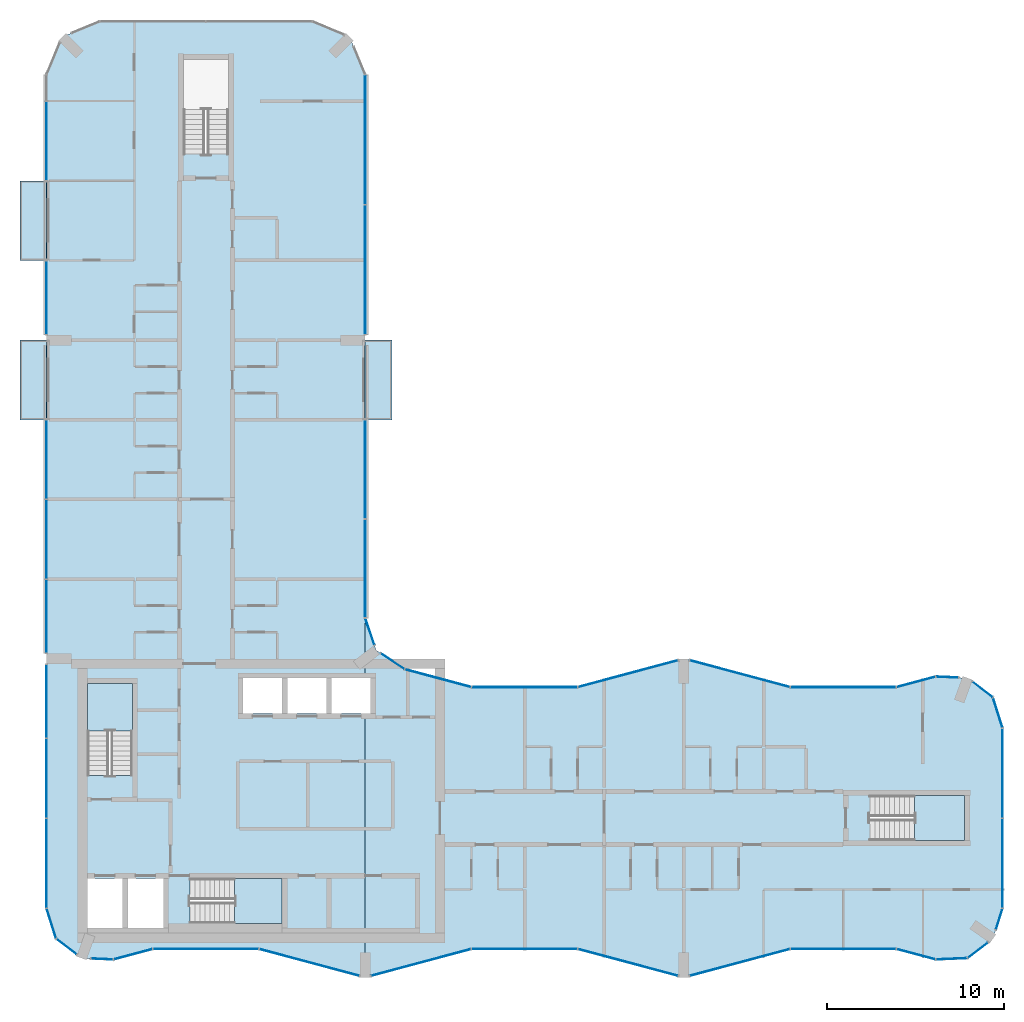
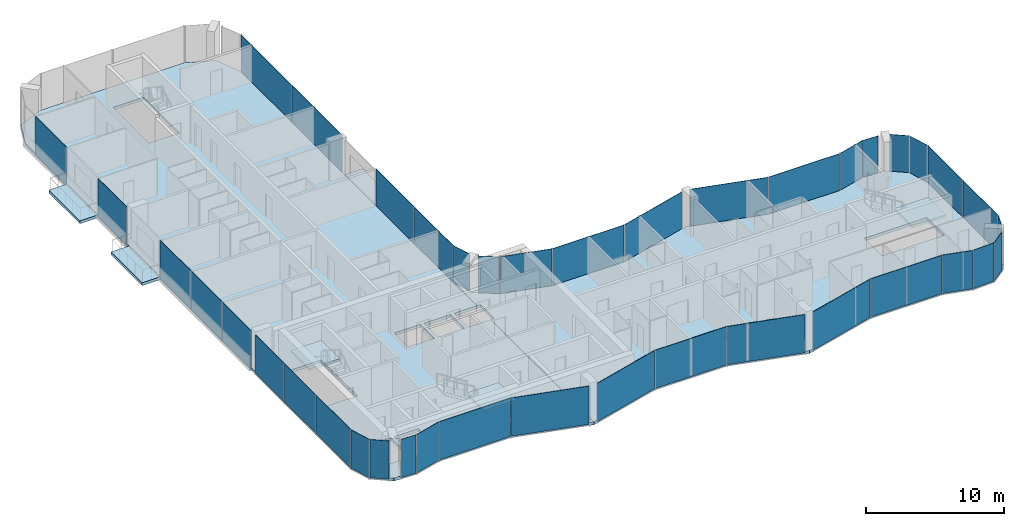
# One storey, part 8 of 15: 40 plates, 8 slabs, 36 elements without a shape of their own.
"""IFC4 building model written with IfcOpenShell, lengths in metres."""

from ifc_helpers import new_model, si_unit, direction, frame, origin, origin_2d, place, context, subcontext, project, spatial, polyline, rectangle, outline, extrude, material, layer, layer_set, type_object, element, aggregate, save


model = new_model("IFC4")

# Units and contexts
model_context = context("Model", 3, precision=1e-05, world=origin(), true_north=direction((0.0, 1.0)))
body_context = subcontext(model_context, "Body", "Model", "MODEL_VIEW")
ifc_project = project(units=[si_unit("LENGTHUNIT", "METRE"), si_unit("AREAUNIT", "SQUARE_METRE"), si_unit("VOLUMEUNIT", "CUBIC_METRE"), si_unit("PLANEANGLEUNIT", "RADIAN"), si_unit("MASSUNIT", "GRAM", prefix="KILO")], contexts=[model_context])

# Site, building, storey
site_placement = place(None, origin())
site = spatial("IfcSite", under=ifc_project, at=site_placement, CompositionType="ELEMENT")
building_placement = place(site_placement, origin())
building = spatial("IfcBuilding", under=site, at=building_placement, Name="Plateau Cross Towers", CompositionType="ELEMENT")
storey_placement = place(building_placement, frame((0.0, 0.0, 197.89990234375)))
storey = spatial("IfcBuildingStorey", under=building, at=storey_placement, Name="L51", CompositionType="ELEMENT", Elevation=197.89990234375)

# Slabs
ifc_material_1 = material(Name="Concrete C40/50", Category="concrete")
ifc_layer_1 = layer(ifc_material_1, 0.25)
ifc_layer_set_1 = layer_set([ifc_layer_1], Name="Concrete C40/50")
slab_type_1 = type_object("IfcSlabType", Name="Balcony slab 250", PredefinedType="FLOOR", material=ifc_layer_set_1)
slab_1_placement = place(storey_placement, frame((0.0, 0.0, -0.25)))
element("IfcSlab", 1, at=slab_1_placement, inside=storey, type_object=slab_type_1, Name="Balcony slab A-BAL-L51-01", PredefinedType="FLOOR", context=body_context, shape_type="SweptSolid", body=[
    extrude(outline(polyline([(0.0, 31.5), (0.0, 36.0), (-1.5, 36.0), (-1.5, 31.5), (0.0, 31.5)])), origin(), (0.0, 0.0, 1.0), 0.25),
])
slab_2_placement = place(storey_placement, frame((0.0, 0.0, -0.25)))
element("IfcSlab", 2, at=slab_2_placement, inside=storey, type_object=slab_type_1, Name="Balcony slab A-BAL-L51-02", PredefinedType="FLOOR", context=body_context, shape_type="SweptSolid", body=[
    extrude(outline(polyline([(0.0, 40.5), (0.0, 45.0), (-1.5, 45.0), (-1.5, 40.5), (0.0, 40.5)])), origin(), (0.0, 0.0, 1.0), 0.25),
])
slab_3_placement = place(storey_placement, frame((0.0, 0.0, -0.25)))
element("IfcSlab", 3, at=slab_3_placement, inside=storey, type_object=slab_type_1, Name="Balcony slab A-BAL-L51-03", PredefinedType="FLOOR", context=body_context, shape_type="SweptSolid", body=[
    extrude(outline(polyline([(19.5, 31.5), (19.5, 36.0), (18.0, 36.0), (18.0, 31.5), (19.5, 31.5)])), origin(), (0.0, 0.0, 1.0), 0.25),
])

# Curtain wall, plate
ifc_material_2 = material(Name="Dark low-iron glass", Category="glass")
ifc_layer_2 = layer(ifc_material_2, 0.239990234375)
ifc_layer_set_2 = layer_set([ifc_layer_2], Name="Dark low-iron glass")
curtain_wall_type_1 = type_object("IfcCurtainWallType", Name="Curtain wall flush unitised CW-B", PredefinedType="NOTDEFINED", material=ifc_layer_set_2)
curtain_wall_1_placement = place(storey_placement, origin())
curtain_wall_1 = element("IfcCurtainWall", 4, at=curtain_wall_1_placement, inside=storey, type_object=curtain_wall_type_1, Name="ENV/A/L51/A502_10", PredefinedType="NOTDEFINED")
ifc_layer_3 = layer(ifc_material_2, 0.031982421875)
ifc_layer_set_3 = layer_set([ifc_layer_3], Name="Dark low-iron glass")
plate_type_1 = type_object("IfcPlateType", Name="Glass panel 32 flush unitised", PredefinedType="CURTAIN_PANEL", material=ifc_layer_set_3)
plate_1_placement = place(storey_placement, frame((51.125, 1.05078125, -0.1298828125), z_axis=(0.0, 0.0, 1.0), x_axis=(0.999043701491, 0.043722791671, 0.0)))
plate_1 = element("IfcPlate", 5, at=plate_1_placement, type_object=plate_type_1, Name="CW-B panel 1", PredefinedType="CURTAIN_PANEL", context=body_context, shape_type="SweptSolid", body=[
    extrude(rectangle(XDim=1.744140625, YDim=0.031982421875, at=origin_2d()), origin(), (0.0, 0.0, 1.0), 3.3798828125),
])
aggregate(curtain_wall_1, [plate_1])

curtain_wall_2_placement = place(storey_placement, origin())
curtain_wall_2 = element("IfcCurtainWall", 6, at=curtain_wall_2_placement, inside=storey, type_object=curtain_wall_type_1, Name="ENV/A/L51/A520_11", PredefinedType="NOTDEFINED")
plate_2_placement = place(storey_placement, frame((52.60986328125, 1.5380859375, -0.1298828125), z_axis=(0.0, 0.0, 1.0), x_axis=(0.793315514529, 0.608810721331, 0.0)))
plate_2 = element("IfcPlate", 7, at=plate_2_placement, type_object=plate_type_1, Name="CW-B panel 1", PredefinedType="CURTAIN_PANEL", context=body_context, shape_type="SweptSolid", body=[
    extrude(rectangle(XDim=1.41162109375, YDim=0.031982421875, at=origin_2d()), origin(), (0.0, 0.0, 1.0), 3.3798828125),
])
aggregate(curtain_wall_2, [plate_2])

curtain_wall_3_placement = place(storey_placement, origin())
curtain_wall_3 = element("IfcCurtainWall", 8, at=curtain_wall_3_placement, inside=storey, type_object=curtain_wall_type_1, Name="ENV/A/L51/A536_27", PredefinedType="NOTDEFINED")
plate_3_placement = place(storey_placement, frame((53.805419921875, 3.292236328125, -0.1298828125), z_axis=(0.0, 0.0, 1.0), x_axis=(0.300686174994, 0.95372313811, 0.0)))
plate_3 = element("IfcPlate", 9, at=plate_3_placement, type_object=plate_type_1, Name="CW-B panel 1", PredefinedType="CURTAIN_PANEL", context=body_context, shape_type="SweptSolid", body=[
    extrude(rectangle(XDim=1.233642578125, YDim=0.031982421875, at=origin_2d()), origin(), (0.0, 0.0, 1.0), 3.3798828125),
])
aggregate(curtain_wall_3, [plate_3])

# Curtain wall, plates
curtain_wall_4_placement = place(storey_placement, origin())
curtain_wall_4 = element("IfcCurtainWall", 10, at=curtain_wall_4_placement, inside=storey, type_object=curtain_wall_type_1, Name="ENV/A/L51/A540_39", PredefinedType="NOTDEFINED")
plate_4_placement = place(storey_placement, frame((54.0, 6.45458984375, -0.1298828125), z_axis=(0.0, 0.0, 1.0), x_axis=(0.0, 1.0, 0.0)))
plate_4 = element("IfcPlate", 11, at=plate_4_placement, type_object=plate_type_1, Name="CW-B panel 1", PredefinedType="CURTAIN_PANEL", context=body_context, shape_type="SweptSolid", body=[
    extrude(rectangle(XDim=5.03076171875, YDim=0.031982421875, at=origin_2d()), origin(), (0.0, 0.0, 1.0), 3.3798828125),
])
plate_5_placement = place(storey_placement, frame((54.0, 11.54541015625, -0.1298828125), z_axis=(0.0, 0.0, 1.0), x_axis=(0.0, 1.0, 0.0)))
plate_5 = element("IfcPlate", 12, at=plate_5_placement, type_object=plate_type_1, Name="CW-B panel 2", PredefinedType="CURTAIN_PANEL", context=body_context, shape_type="SweptSolid", body=[
    extrude(rectangle(XDim=5.03076171875, YDim=0.031982421875, at=origin_2d()), origin(), (0.0, 0.0, 1.0), 3.3798828125),
])
aggregate(curtain_wall_4, [plate_4, plate_5])

# Curtain wall, plate
curtain_wall_5_placement = place(storey_placement, origin())
curtain_wall_5 = element("IfcCurtainWall", 13, at=curtain_wall_5_placement, inside=storey, type_object=curtain_wall_type_1, Name="ENV/A/L51/A540_141", PredefinedType="NOTDEFINED")
plate_6_placement = place(storey_placement, frame((53.728759765625, 14.951171875, -0.1298828125), z_axis=(0.0, 0.0, 1.0), x_axis=(-0.300686174994, 0.95372313811, 0.0)))
plate_6 = element("IfcPlate", 14, at=plate_6_placement, type_object=plate_type_1, Name="CW-B panel 1", PredefinedType="CURTAIN_PANEL", context=body_context, shape_type="SweptSolid", body=[
    extrude(rectangle(XDim=1.744140625, YDim=0.031982421875, at=origin_2d()), origin(), (0.0, 0.0, 1.0), 3.3798828125),
])
aggregate(curtain_wall_5, [plate_6])

curtain_wall_6_placement = place(storey_placement, origin())
curtain_wall_6 = element("IfcCurtainWall", 15, at=curtain_wall_6_placement, inside=storey, type_object=curtain_wall_type_1, Name="ENV/A/L51/A535_158", PredefinedType="NOTDEFINED")
plate_7_placement = place(storey_placement, frame((52.873779296875, 16.25927734375, -0.1298828125), z_axis=(0.0, 0.0, 1.0), x_axis=(-0.793315514529, 0.608810721331, 0.0)))
plate_7 = element("IfcPlate", 16, at=plate_7_placement, type_object=plate_type_1, Name="CW-B panel 1", PredefinedType="CURTAIN_PANEL", context=body_context, shape_type="SweptSolid", body=[
    extrude(rectangle(XDim=1.41162109375, YDim=0.031982421875, at=origin_2d()), origin(), (0.0, 0.0, 1.0), 3.3798828125),
])
aggregate(curtain_wall_6, [plate_7])

curtain_wall_7_placement = place(storey_placement, origin())
curtain_wall_7 = element("IfcCurtainWall", 17, at=curtain_wall_7_placement, inside=storey, type_object=curtain_wall_type_1, Name="ENV/A/L51/A515_169", PredefinedType="NOTDEFINED")
plate_8_placement = place(storey_placement, frame((50.8701171875, 16.96044921875, -0.1298828125), z_axis=(0.0, 0.0, 1.0), x_axis=(-0.999043701491, 0.043722791671, 0.0)))
plate_8 = element("IfcPlate", 18, at=plate_8_placement, type_object=plate_type_1, Name="CW-B panel 1", PredefinedType="CURTAIN_PANEL", context=body_context, shape_type="SweptSolid", body=[
    extrude(rectangle(XDim=1.233642578125, YDim=0.031982421875, at=origin_2d()), origin(), (0.0, 0.0, 1.0), 3.3798828125),
])
aggregate(curtain_wall_7, [plate_8])

curtain_wall_8_placement = place(storey_placement, origin())
curtain_wall_8 = element("IfcCurtainWall", 19, at=curtain_wall_8_placement, inside=storey, type_object=curtain_wall_type_1, Name="ENV/A/L51/A202_174", PredefinedType="NOTDEFINED")
plate_9_placement = place(storey_placement, frame((19.546630859375, 17.856689453125, -0.1298828125), z_axis=(0.0, 0.0, 1.0), x_axis=(-0.831521253329, 0.555492938984, 0.0)))
plate_9 = element("IfcPlate", 20, at=plate_9_placement, type_object=plate_type_1, Name="CW-B panel 1", PredefinedType="CURTAIN_PANEL", context=body_context, shape_type="SweptSolid", body=[
    extrude(rectangle(XDim=1.56884765625, YDim=0.031982421875, at=origin_2d()), origin(), (0.0, 0.0, 1.0), 3.3798828125),
])
aggregate(curtain_wall_8, [plate_9])

curtain_wall_9_placement = place(storey_placement, origin())
curtain_wall_9 = element("IfcCurtainWall", 21, at=curtain_wall_9_placement, inside=storey, type_object=curtain_wall_type_1, Name="ENV/A/L51/A185_188", PredefinedType="NOTDEFINED")
plate_10_placement = place(storey_placement, frame((18.26171875, 19.531005859375, -0.1298828125), z_axis=(0.0, 0.0, 1.0), x_axis=(-0.321469161574, 0.94692004845, 0.0)))
plate_10 = element("IfcPlate", 22, at=plate_10_placement, type_object=plate_type_1, Name="CW-B panel 1", PredefinedType="CURTAIN_PANEL", context=body_context, shape_type="SweptSolid", body=[
    extrude(rectangle(XDim=1.56884765625, YDim=0.031982421875, at=origin_2d()), origin(), (0.0, 0.0, 1.0), 3.3798828125),
])
aggregate(curtain_wall_9, [plate_10])

# Curtain wall, plates
curtain_wall_10_placement = place(storey_placement, origin())
curtain_wall_10 = element("IfcCurtainWall", 23, at=curtain_wall_10_placement, inside=storey, type_object=curtain_wall_type_1, Name="ENV/A/L51/A180_203", PredefinedType="NOTDEFINED")
plate_11_placement = place(storey_placement, frame((18.0, 23.09912109375, -0.1298828125), z_axis=(0.0, 0.0, 1.0), x_axis=(0.0, 1.0, 0.0)))
plate_11 = element("IfcPlate", 24, at=plate_11_placement, type_object=plate_type_1, Name="CW-B panel 1", PredefinedType="CURTAIN_PANEL", context=body_context, shape_type="SweptSolid", body=[
    extrude(rectangle(XDim=5.533935546875, YDim=0.031982421875, at=origin_2d()), origin(), (0.0, 0.0, 1.0), 3.3798828125),
])
plate_12_placement = place(storey_placement, frame((18.0, 28.693115234375, -0.1298828125), z_axis=(0.0, 0.0, 1.0), x_axis=(0.0, 1.0, 0.0)))
plate_12 = element("IfcPlate", 25, at=plate_12_placement, type_object=plate_type_1, Name="CW-B panel 2", PredefinedType="CURTAIN_PANEL", context=body_context, shape_type="SweptSolid", body=[
    extrude(rectangle(XDim=5.533935546875, YDim=0.031982421875, at=origin_2d()), origin(), (0.0, 0.0, 1.0), 3.3798828125),
])
aggregate(curtain_wall_10, [plate_11, plate_12])

curtain_wall_11_placement = place(storey_placement, origin())
curtain_wall_11 = element("IfcCurtainWall", 26, at=curtain_wall_11_placement, inside=storey, type_object=curtain_wall_type_1, Name="ENV/A/L51/A180_363", PredefinedType="NOTDEFINED")
plate_13_placement = place(storey_placement, frame((18.0, 39.97509765625, -0.1298828125), z_axis=(0.0, 0.0, 1.0), x_axis=(0.0, 1.0, 0.0)))
plate_13 = element("IfcPlate", 27, at=plate_13_placement, type_object=plate_type_1, Name="CW-B panel 1", PredefinedType="CURTAIN_PANEL", context=body_context, shape_type="SweptSolid", body=[
    extrude(rectangle(XDim=7.2900390625, YDim=0.031982421875, at=origin_2d()), origin(), (0.0, 0.0, 1.0), 3.3798828125),
])
plate_14_placement = place(storey_placement, frame((18.0, 47.324951171875, -0.1298828125), z_axis=(0.0, 0.0, 1.0), x_axis=(0.0, 1.0, 0.0)))
plate_14 = element("IfcPlate", 28, at=plate_14_placement, type_object=plate_type_1, Name="CW-B panel 2", PredefinedType="CURTAIN_PANEL", context=body_context, shape_type="SweptSolid", body=[
    extrude(rectangle(XDim=7.2900390625, YDim=0.031982421875, at=origin_2d()), origin(), (0.0, 0.0, 1.0), 3.3798828125),
])
aggregate(curtain_wall_11, [plate_13, plate_14])

# Curtain wall, plate
curtain_wall_12_placement = place(storey_placement, origin())
curtain_wall_12 = element("IfcCurtainWall", 29, at=curtain_wall_12_placement, inside=storey, type_object=curtain_wall_type_1, Name="ENV/A/L51/A0_510", PredefinedType="NOTDEFINED")
plate_15_placement = place(storey_placement, frame((0.0, 47.2548828125, -0.1298828125), z_axis=(0.0, 0.0, 1.0), x_axis=(0.0, -1.0, 0.0)))
plate_15 = element("IfcPlate", 30, at=plate_15_placement, type_object=plate_type_1, Name="CW-B panel 2", PredefinedType="CURTAIN_PANEL", context=body_context, shape_type="SweptSolid", body=[
    extrude(rectangle(XDim=4.429931640625, YDim=0.031982421875, at=origin_2d()), origin(), (0.0, 0.0, 1.0), 3.3798828125),
])
aggregate(curtain_wall_12, [plate_15])

curtain_wall_13_placement = place(storey_placement, origin())
curtain_wall_13 = element("IfcCurtainWall", 31, at=curtain_wall_13_placement, inside=storey, type_object=curtain_wall_type_1, Name="ENV/A/L51/A0_405", PredefinedType="NOTDEFINED")
plate_16_placement = place(storey_placement, frame((0.0, 38.39501953125, -0.1298828125), z_axis=(0.0, 0.0, 1.0), x_axis=(0.0, -1.0, 0.0)))
plate_16 = element("IfcPlate", 32, at=plate_16_placement, type_object=plate_type_1, Name="CW-B panel 1", PredefinedType="CURTAIN_PANEL", context=body_context, shape_type="SweptSolid", body=[
    extrude(rectangle(XDim=4.1298828125, YDim=0.031982421875, at=origin_2d()), origin(), (0.0, 0.0, 1.0), 3.3798828125),
])
aggregate(curtain_wall_13, [plate_16])

# Curtain wall, plates
curtain_wall_14_placement = place(storey_placement, origin())
curtain_wall_14 = element("IfcCurtainWall", 33, at=curtain_wall_14_placement, inside=storey, type_object=curtain_wall_type_1, Name="ENV/A/L51/A0_315", PredefinedType="NOTDEFINED")
plate_17_placement = place(storey_placement, frame((0.0, 29.2451171875, -0.1298828125), z_axis=(0.0, 0.0, 1.0), x_axis=(0.0, -1.0, 0.0)))
plate_17 = element("IfcPlate", 34, at=plate_17_placement, type_object=plate_type_1, Name="CW-B panel 1", PredefinedType="CURTAIN_PANEL", context=body_context, shape_type="SweptSolid", body=[
    extrude(rectangle(XDim=4.429931640625, YDim=0.031982421875, at=origin_2d()), origin(), (0.0, 0.0, 1.0), 3.3798828125),
])
plate_18_placement = place(storey_placement, frame((0.0, 24.75, -0.1298828125), z_axis=(0.0, 0.0, 1.0), x_axis=(0.0, -1.0, 0.0)))
plate_18 = element("IfcPlate", 35, at=plate_18_placement, type_object=plate_type_1, Name="CW-B panel 2", PredefinedType="CURTAIN_PANEL", context=body_context, shape_type="SweptSolid", body=[
    extrude(rectangle(XDim=4.43994140625, YDim=0.031982421875, at=origin_2d()), origin(), (0.0, 0.0, 1.0), 3.3798828125),
])
plate_19_placement = place(storey_placement, frame((0.0, 20.39990234375, -0.1298828125), z_axis=(0.0, 0.0, 1.0), x_axis=(0.0, -1.0, 0.0)))
plate_19 = element("IfcPlate", 36, at=plate_19_placement, type_object=plate_type_1, Name="CW-B panel 3", PredefinedType="CURTAIN_PANEL", context=body_context, shape_type="SweptSolid", body=[
    extrude(rectangle(XDim=4.139892578125, YDim=0.031982421875, at=origin_2d()), origin(), (0.0, 0.0, 1.0), 3.3798828125),
])
aggregate(curtain_wall_14, [plate_17, plate_18, plate_19])

curtain_wall_15_placement = place(storey_placement, origin())
curtain_wall_15 = element("IfcCurtainWall", 37, at=curtain_wall_15_placement, inside=storey, type_object=curtain_wall_type_1, Name="ENV/A/L51/A0_177", PredefinedType="NOTDEFINED")
plate_20_placement = place(storey_placement, frame((0.0, 15.60009765625, -0.1298828125), z_axis=(0.0, 0.0, 1.0), x_axis=(0.0, -1.0, 0.0)))
plate_20 = element("IfcPlate", 38, at=plate_20_placement, type_object=plate_type_1, Name="CW-B panel 1", PredefinedType="CURTAIN_PANEL", context=body_context, shape_type="SweptSolid", body=[
    extrude(rectangle(XDim=4.139892578125, YDim=0.031982421875, at=origin_2d()), origin(), (0.0, 0.0, 1.0), 3.3798828125),
])
plate_21_placement = place(storey_placement, frame((0.0, 11.25, -0.1298828125), z_axis=(0.0, 0.0, 1.0), x_axis=(0.0, -1.0, 0.0)))
plate_21 = element("IfcPlate", 39, at=plate_21_placement, type_object=plate_type_1, Name="CW-B panel 2", PredefinedType="CURTAIN_PANEL", context=body_context, shape_type="SweptSolid", body=[
    extrude(rectangle(XDim=4.43994140625, YDim=0.031982421875, at=origin_2d()), origin(), (0.0, 0.0, 1.0), 3.3798828125),
])
plate_22_placement = place(storey_placement, frame((0.0, 6.45458984375, -0.1298828125), z_axis=(0.0, 0.0, 1.0), x_axis=(0.0, -1.0, 0.0)))
plate_22 = element("IfcPlate", 40, at=plate_22_placement, type_object=plate_type_1, Name="CW-B panel 3", PredefinedType="CURTAIN_PANEL", context=body_context, shape_type="SweptSolid", body=[
    extrude(rectangle(XDim=5.03076171875, YDim=0.031982421875, at=origin_2d()), origin(), (0.0, 0.0, 1.0), 3.3798828125),
])
aggregate(curtain_wall_15, [plate_20, plate_21, plate_22])

# Curtain wall, plate
curtain_wall_16_placement = place(storey_placement, origin())
curtain_wall_16 = element("IfcCurtainWall", 41, at=curtain_wall_16_placement, inside=storey, type_object=curtain_wall_type_1, Name="ENV/A/L51/A0_39", PredefinedType="NOTDEFINED")
plate_23_placement = place(storey_placement, frame((0.271240234375, 3.048828125, -0.1298828125), z_axis=(0.0, 0.0, 1.0), x_axis=(0.300686174994, -0.95372313811, 0.0)))
plate_23 = element("IfcPlate", 42, at=plate_23_placement, type_object=plate_type_1, Name="CW-B panel 1", PredefinedType="CURTAIN_PANEL", context=body_context, shape_type="SweptSolid", body=[
    extrude(rectangle(XDim=1.744140625, YDim=0.031982421875, at=origin_2d()), origin(), (0.0, 0.0, 1.0), 3.3798828125),
])
aggregate(curtain_wall_16, [plate_23])

curtain_wall_17_placement = place(storey_placement, origin())
curtain_wall_17 = element("IfcCurtainWall", 43, at=curtain_wall_17_placement, inside=storey, type_object=curtain_wall_type_1, Name="ENV/A/L51/A5_22", PredefinedType="NOTDEFINED")
plate_24_placement = place(storey_placement, frame((1.126220703125, 1.74072265625, -0.1298828125), z_axis=(0.0, 0.0, 1.0), x_axis=(0.793315514529, -0.608810721331, 0.0)))
plate_24 = element("IfcPlate", 44, at=plate_24_placement, type_object=plate_type_1, Name="CW-B panel 1", PredefinedType="CURTAIN_PANEL", context=body_context, shape_type="SweptSolid", body=[
    extrude(rectangle(XDim=1.41162109375, YDim=0.031982421875, at=origin_2d()), origin(), (0.0, 0.0, 1.0), 3.3798828125),
])
aggregate(curtain_wall_17, [plate_24])

curtain_wall_18_placement = place(storey_placement, origin())
curtain_wall_18 = element("IfcCurtainWall", 45, at=curtain_wall_18_placement, inside=storey, type_object=curtain_wall_type_1, Name="ENV/A/L51/A25_11", PredefinedType="NOTDEFINED")
plate_25_placement = place(storey_placement, frame((3.1298828125, 1.03955078125, -0.1298828125), z_axis=(0.0, 0.0, 1.0), x_axis=(0.999043701491, -0.043722791671, 0.0)))
plate_25 = element("IfcPlate", 46, at=plate_25_placement, type_object=plate_type_1, Name="CW-B panel 1", PredefinedType="CURTAIN_PANEL", context=body_context, shape_type="SweptSolid", body=[
    extrude(rectangle(XDim=1.233642578125, YDim=0.031982421875, at=origin_2d()), origin(), (0.0, 0.0, 1.0), 3.3798828125),
])
aggregate(curtain_wall_18, [plate_25])

ifc_layer_4 = layer(ifc_material_2, 0.260009765625)
ifc_layer_set_4 = layer_set([ifc_layer_4], Name="Dark low-iron glass")
curtain_wall_type_2 = type_object("IfcCurtainWallType", Name="Curtain wall fluted unitised CW-A", PredefinedType="NOTDEFINED", material=ifc_layer_set_4)
curtain_wall_19_placement = place(storey_placement, origin())
curtain_wall_19 = element("IfcCurtainWall", 47, at=curtain_wall_19_placement, inside=storey, type_object=curtain_wall_type_2, Name="ENV/A/L51/A38_10", PredefinedType="NOTDEFINED")
ifc_layer_5 = layer(ifc_material_2, 0.035888671875)
ifc_layer_set_5 = layer_set([ifc_layer_5], Name="Dark low-iron glass")
plate_type_2 = type_object("IfcPlateType", Name="Glass panel 36 fluted unitised", PredefinedType="CURTAIN_PANEL", material=ifc_layer_set_5)
plate_26_placement = place(storey_placement, frame((4.887939453125, 1.30908203125, -0.1298828125), z_axis=(0.0, 0.0, 1.0), x_axis=(0.965957962328, 0.258699081978, 0.0)))
plate_26 = element("IfcPlate", 48, at=plate_26_placement, type_object=plate_type_2, Name="CW-A panel 1", PredefinedType="CURTAIN_PANEL", context=body_context, shape_type="SweptSolid", body=[
    extrude(rectangle(XDim=2.2421875, YDim=0.035888671875, at=origin_2d()), origin(), (0.0, 0.0, 1.0), 3.3798828125),
])
aggregate(curtain_wall_19, [plate_26])

curtain_wall_20_placement = place(storey_placement, origin())
curtain_wall_20 = element("IfcCurtainWall", 49, at=curtain_wall_20_placement, inside=storey, type_object=curtain_wall_type_2, Name="ENV/A/L51/A60_16", PredefinedType="NOTDEFINED")
plate_27_placement = place(storey_placement, frame((9.0, 1.60693359375, -0.1298828125), z_axis=(0.0, 0.0, 1.0), x_axis=(1.0, 0.0, 0.0)))
plate_27 = element("IfcPlate", 50, at=plate_27_placement, type_object=plate_type_2, Name="CW-A panel 1", PredefinedType="CURTAIN_PANEL", context=body_context, shape_type="SweptSolid", body=[
    extrude(rectangle(XDim=5.93994140625, YDim=0.035888671875, at=origin_2d()), origin(), (0.0, 0.0, 1.0), 3.3798828125),
])
aggregate(curtain_wall_20, [plate_27])

curtain_wall_21_placement = place(storey_placement, origin())
curtain_wall_21 = element("IfcCurtainWall", 51, at=curtain_wall_21_placement, inside=storey, type_object=curtain_wall_type_2, Name="ENV/A/L51/A120_16", PredefinedType="NOTDEFINED")
plate_28_placement = place(storey_placement, frame((14.841064453125, 0.845947265625, -0.1298828125), z_axis=(0.0, 0.0, 1.0), x_axis=(0.965957983404, -0.258699003279, 0.0)))
plate_28 = element("IfcPlate", 52, at=plate_28_placement, type_object=plate_type_2, Name="CW-A panel 1", PredefinedType="CURTAIN_PANEL", context=body_context, shape_type="SweptSolid", body=[
    extrude(rectangle(XDim=5.822265625, YDim=0.035888671875, at=origin_2d()), origin(), (0.0, 0.0, 1.0), 3.3798828125),
])
aggregate(curtain_wall_21, [plate_28])

curtain_wall_22_placement = place(storey_placement, origin())
curtain_wall_22 = element("IfcCurtainWall", 53, at=curtain_wall_22_placement, inside=storey, type_object=curtain_wall_type_2, Name="ENV/A/L51/A183_1", PredefinedType="NOTDEFINED")
plate_29_placement = place(storey_placement, frame((21.158935546875, 0.845947265625, -0.1298828125), z_axis=(0.0, 0.0, 1.0), x_axis=(0.965957983404, 0.258699003279, 0.0)))
plate_29 = element("IfcPlate", 54, at=plate_29_placement, type_object=plate_type_2, Name="CW-A panel 1", PredefinedType="CURTAIN_PANEL", context=body_context, shape_type="SweptSolid", body=[
    extrude(rectangle(XDim=5.822265625, YDim=0.035888671875, at=origin_2d()), origin(), (0.0, 0.0, 1.0), 3.3798828125),
])
aggregate(curtain_wall_22, [plate_29])

curtain_wall_23_placement = place(storey_placement, origin())
curtain_wall_23 = element("IfcCurtainWall", 55, at=curtain_wall_23_placement, inside=storey, type_object=curtain_wall_type_2, Name="ENV/A/L51/A240_16", PredefinedType="NOTDEFINED")
plate_30_placement = place(storey_placement, frame((27.0, 1.60693359375, -0.1298828125), z_axis=(0.0, 0.0, 1.0), x_axis=(1.0, 0.0, 0.0)))
plate_30 = element("IfcPlate", 56, at=plate_30_placement, type_object=plate_type_2, Name="CW-A panel 1", PredefinedType="CURTAIN_PANEL", context=body_context, shape_type="SweptSolid", body=[
    extrude(rectangle(XDim=5.93994140625, YDim=0.035888671875, at=origin_2d()), origin(), (0.0, 0.0, 1.0), 3.3798828125),
])
aggregate(curtain_wall_23, [plate_30])

curtain_wall_24_placement = place(storey_placement, origin())
curtain_wall_24 = element("IfcCurtainWall", 57, at=curtain_wall_24_placement, inside=storey, type_object=curtain_wall_type_2, Name="ENV/A/L51/A300_16", PredefinedType="NOTDEFINED")
plate_31_placement = place(storey_placement, frame((32.841064453125, 0.845947265625, -0.1298828125), z_axis=(0.0, 0.0, 1.0), x_axis=(0.965957983404, -0.258699003279, 0.0)))
plate_31 = element("IfcPlate", 58, at=plate_31_placement, type_object=plate_type_2, Name="CW-A panel 1", PredefinedType="CURTAIN_PANEL", context=body_context, shape_type="SweptSolid", body=[
    extrude(rectangle(XDim=5.822265625, YDim=0.035888671875, at=origin_2d()), origin(), (0.0, 0.0, 1.0), 3.3798828125),
])
aggregate(curtain_wall_24, [plate_31])

curtain_wall_25_placement = place(storey_placement, origin())
curtain_wall_25 = element("IfcCurtainWall", 59, at=curtain_wall_25_placement, inside=storey, type_object=curtain_wall_type_2, Name="ENV/A/L51/A363_1", PredefinedType="NOTDEFINED")
plate_32_placement = place(storey_placement, frame((39.158935546875, 0.845947265625, -0.1298828125), z_axis=(0.0, 0.0, 1.0), x_axis=(0.965957983404, 0.258699003279, 0.0)))
plate_32 = element("IfcPlate", 60, at=plate_32_placement, type_object=plate_type_2, Name="CW-A panel 1", PredefinedType="CURTAIN_PANEL", context=body_context, shape_type="SweptSolid", body=[
    extrude(rectangle(XDim=5.822265625, YDim=0.035888671875, at=origin_2d()), origin(), (0.0, 0.0, 1.0), 3.3798828125),
])
aggregate(curtain_wall_25, [plate_32])

curtain_wall_26_placement = place(storey_placement, origin())
curtain_wall_26 = element("IfcCurtainWall", 61, at=curtain_wall_26_placement, inside=storey, type_object=curtain_wall_type_2, Name="ENV/A/L51/A420_16", PredefinedType="NOTDEFINED")
plate_33_placement = place(storey_placement, frame((45.0, 1.60693359375, -0.1298828125), z_axis=(0.0, 0.0, 1.0), x_axis=(1.0, 0.0, 0.0)))
plate_33 = element("IfcPlate", 62, at=plate_33_placement, type_object=plate_type_2, Name="CW-A panel 1", PredefinedType="CURTAIN_PANEL", context=body_context, shape_type="SweptSolid", body=[
    extrude(rectangle(XDim=5.93994140625, YDim=0.035888671875, at=origin_2d()), origin(), (0.0, 0.0, 1.0), 3.3798828125),
])
aggregate(curtain_wall_26, [plate_33])

curtain_wall_27_placement = place(storey_placement, origin())
curtain_wall_27 = element("IfcCurtainWall", 63, at=curtain_wall_27_placement, inside=storey, type_object=curtain_wall_type_2, Name="ENV/A/L51/A480_16", PredefinedType="NOTDEFINED")
plate_34_placement = place(storey_placement, frame((49.112060546875, 1.30908203125, -0.1298828125), z_axis=(0.0, 0.0, 1.0), x_axis=(0.965957962328, -0.258699081978, 0.0)))
plate_34 = element("IfcPlate", 64, at=plate_34_placement, type_object=plate_type_2, Name="CW-A panel 1", PredefinedType="CURTAIN_PANEL", context=body_context, shape_type="SweptSolid", body=[
    extrude(rectangle(XDim=2.2421875, YDim=0.035888671875, at=origin_2d()), origin(), (0.0, 0.0, 1.0), 3.3798828125),
])
aggregate(curtain_wall_27, [plate_34])

curtain_wall_28_placement = place(storey_placement, origin())
curtain_wall_28 = element("IfcCurtainWall", 65, at=curtain_wall_28_placement, inside=storey, type_object=curtain_wall_type_2, Name="ENV/A/L51/A502_170", PredefinedType="NOTDEFINED")
plate_35_placement = place(storey_placement, frame((49.112060546875, 16.69091796875, -0.1298828125), z_axis=(0.0, 0.0, 1.0), x_axis=(-0.965957962328, -0.258699081978, 0.0)))
plate_35 = element("IfcPlate", 66, at=plate_35_placement, type_object=plate_type_2, Name="CW-A panel 1", PredefinedType="CURTAIN_PANEL", context=body_context, shape_type="SweptSolid", body=[
    extrude(rectangle(XDim=2.2421875, YDim=0.035888671875, at=origin_2d()), origin(), (0.0, 0.0, 1.0), 3.3798828125),
])
aggregate(curtain_wall_28, [plate_35])

curtain_wall_29_placement = place(storey_placement, origin())
curtain_wall_29 = element("IfcCurtainWall", 67, at=curtain_wall_29_placement, inside=storey, type_object=curtain_wall_type_2, Name="ENV/A/L51/A480_164", PredefinedType="NOTDEFINED")
plate_36_placement = place(storey_placement, frame((45.0, 16.39306640625, -0.1298828125), z_axis=(0.0, 0.0, 1.0), x_axis=(-1.0, 0.0, 0.0)))
plate_36 = element("IfcPlate", 68, at=plate_36_placement, type_object=plate_type_2, Name="CW-A panel 1", PredefinedType="CURTAIN_PANEL", context=body_context, shape_type="SweptSolid", body=[
    extrude(rectangle(XDim=5.93994140625, YDim=0.035888671875, at=origin_2d()), origin(), (0.0, 0.0, 1.0), 3.3798828125),
])
aggregate(curtain_wall_29, [plate_36])

curtain_wall_30_placement = place(storey_placement, origin())
curtain_wall_30 = element("IfcCurtainWall", 69, at=curtain_wall_30_placement, inside=storey, type_object=curtain_wall_type_2, Name="ENV/A/L51/A420_164", PredefinedType="NOTDEFINED")
plate_37_placement = place(storey_placement, frame((39.158935546875, 17.154052734375, -0.1298828125), z_axis=(0.0, 0.0, 1.0), x_axis=(-0.965957983404, 0.258699003279, 0.0)))
plate_37 = element("IfcPlate", 70, at=plate_37_placement, type_object=plate_type_2, Name="CW-A panel 1", PredefinedType="CURTAIN_PANEL", context=body_context, shape_type="SweptSolid", body=[
    extrude(rectangle(XDim=5.822265625, YDim=0.035888671875, at=origin_2d()), origin(), (0.0, 0.0, 1.0), 3.3798828125),
])
aggregate(curtain_wall_30, [plate_37])

curtain_wall_31_placement = place(storey_placement, origin())
curtain_wall_31 = element("IfcCurtainWall", 71, at=curtain_wall_31_placement, inside=storey, type_object=curtain_wall_type_2, Name="ENV/A/L51/A357_179", PredefinedType="NOTDEFINED")
plate_38_placement = place(storey_placement, frame((32.841064453125, 17.154052734375, -0.1298828125), z_axis=(0.0, 0.0, 1.0), x_axis=(-0.965957983404, -0.258699003279, 0.0)))
plate_38 = element("IfcPlate", 72, at=plate_38_placement, type_object=plate_type_2, Name="CW-A panel 1", PredefinedType="CURTAIN_PANEL", context=body_context, shape_type="SweptSolid", body=[
    extrude(rectangle(XDim=5.822265625, YDim=0.035888671875, at=origin_2d()), origin(), (0.0, 0.0, 1.0), 3.3798828125),
])
aggregate(curtain_wall_31, [plate_38])

curtain_wall_32_placement = place(storey_placement, origin())
curtain_wall_32 = element("IfcCurtainWall", 73, at=curtain_wall_32_placement, inside=storey, type_object=curtain_wall_type_2, Name="ENV/A/L51/A300_164", PredefinedType="NOTDEFINED")
plate_39_placement = place(storey_placement, frame((27.0, 16.39306640625, -0.1298828125), z_axis=(0.0, 0.0, 1.0), x_axis=(-1.0, 0.0, 0.0)))
plate_39 = element("IfcPlate", 74, at=plate_39_placement, type_object=plate_type_2, Name="CW-A panel 1", PredefinedType="CURTAIN_PANEL", context=body_context, shape_type="SweptSolid", body=[
    extrude(rectangle(XDim=5.93994140625, YDim=0.035888671875, at=origin_2d()), origin(), (0.0, 0.0, 1.0), 3.3798828125),
])
aggregate(curtain_wall_32, [plate_39])

curtain_wall_33_placement = place(storey_placement, origin())
curtain_wall_33 = element("IfcCurtainWall", 75, at=curtain_wall_33_placement, inside=storey, type_object=curtain_wall_type_2, Name="ENV/A/L51/A240_164", PredefinedType="NOTDEFINED")
plate_40_placement = place(storey_placement, frame((22.112060546875, 16.898681640625, -0.1298828125), z_axis=(0.0, 0.0, 1.0), x_axis=(-0.965957995816, 0.258698956933, 0.0)))
plate_40 = element("IfcPlate", 76, at=plate_40_placement, type_object=plate_type_2, Name="CW-A panel 1", PredefinedType="CURTAIN_PANEL", context=body_context, shape_type="SweptSolid", body=[
    extrude(rectangle(XDim=3.84912109375, YDim=0.035888671875, at=origin_2d()), origin(), (0.0, 0.0, 1.0), 3.3798828125),
])
aggregate(curtain_wall_33, [plate_40])

# Slabs
ifc_layer_6 = layer(ifc_material_1, 0.25)
ifc_layer_set_6 = layer_set([ifc_layer_6], Name="Concrete C40/50")
slab_type_2 = type_object("IfcSlabType", Name="Post-tensioned flat plate slab 250", PredefinedType="FLOOR", material=ifc_layer_set_6)
slab_4_placement = place(storey_placement, frame((0.0, 0.0, -0.25)))
element("IfcSlab", 77, at=slab_4_placement, inside=storey, type_object=slab_type_2, Name="SL-A-L51 1", PredefinedType="FLOOR", context=body_context, shape_type="SweptSolid", body=[
    extrude(outline(polyline([(0.54248046875, 2.1884765625), (0.0, 3.9091796875), (0.0, 51.0), (0.878662109375, 53.121337890625), (3.0, 54.0), (15.0, 54.0), (17.121337890625, 53.121337890625), (18.0, 51.0), (18.0, 20.30224609375), (18.0, 16.89990234375), (16.10009765625, 16.89990234375), (16.10009765625, 14.89990234375), (18.0, 14.89990234375), (18.0, 0.0), (12.0, 1.60693359375), (6.0, 1.60693359375), (3.776123046875, 1.01123046875), (1.9736328125, 1.090087890625), (0.54248046875, 2.1884765625)]), holes=[polyline([(2.300048828125, 5.60009765625), (2.300048828125, 2.800048828125), (4.300048828125, 2.800048828125), (4.300048828125, 5.60009765625), (2.300048828125, 5.60009765625)]), polyline([(4.60009765625, 5.60009765625), (4.60009765625, 2.800048828125), (6.60009765625, 2.800048828125), (6.60009765625, 5.60009765625), (4.60009765625, 5.60009765625)]), polyline([(8.10009765625, 5.60009765625), (8.10009765625, 3.050048828125), (13.300048828125, 3.050048828125), (13.300048828125, 5.60009765625), (8.10009765625, 5.60009765625)]), polyline([(2.300048828125, 11.39990234375), (4.85009765625, 11.39990234375), (4.85009765625, 16.60009765625), (2.300048828125, 16.60009765625), (2.300048828125, 11.39990234375)]), polyline([(11.10009765625, 16.89990234375), (11.10009765625, 14.89990234375), (13.300048828125, 14.89990234375), (13.300048828125, 16.89990234375), (11.10009765625, 16.89990234375)]), polyline([(13.60009765625, 16.89990234375), (13.60009765625, 14.89990234375), (15.800048828125, 14.89990234375), (15.800048828125, 16.89990234375), (13.60009765625, 16.89990234375)]), polyline([(7.72509765625, 51.699951171875), (7.72509765625, 46.5), (10.27490234375, 46.5), (10.27490234375, 51.699951171875), (7.72509765625, 51.699951171875)])]), origin(), (0.0, 0.0, 1.0), 0.25),
])
slab_5_placement = place(storey_placement, frame((0.0, 0.0, -0.25)))
element("IfcSlab", 78, at=slab_5_placement, inside=storey, type_object=slab_type_2, Name="SL-A-L51 2", PredefinedType="FLOOR", context=body_context, shape_type="SweptSolid", body=[
    extrude(outline(polyline([(18.6201171875, 18.475830078125), (20.223876953125, 17.404296875), (24.0, 16.39306640625), (30.0, 16.39306640625), (36.0, 18.0), (42.0, 16.39306640625), (48.0, 16.39306640625), (50.223876953125, 16.98876953125), (52.0263671875, 16.909912109375), (53.45751953125, 15.8115234375), (54.0, 14.0908203125), (54.0, 3.9091796875), (53.45751953125, 2.1884765625), (52.0263671875, 1.090087890625), (50.223876953125, 1.01123046875), (48.0, 1.60693359375), (42.0, 1.60693359375), (36.0, 0.0), (30.0, 1.60693359375), (24.0, 1.60693359375), (18.0, 0.0), (18.0, 14.89990234375), (18.300048828125, 14.89990234375), (18.300048828125, 16.89990234375), (18.0, 16.89990234375), (18.0, 20.30224609375), (18.6201171875, 18.475830078125)]), holes=[polyline([(46.5, 10.27490234375), (46.5, 7.72509765625), (51.699951171875, 7.72509765625), (51.699951171875, 10.27490234375), (46.5, 10.27490234375)])]), origin(), (0.0, 0.0, 1.0), 0.25),
])

# Stair, slab
stair_type = type_object("IfcStairType", Name="ST-TWR", PredefinedType="HALF_TURN_STAIR", material=ifc_material_1)
stair_1_placement = place(storey_placement, origin())
stair_1 = element("IfcStair", 79, at=stair_1_placement, inside=storey, type_object=stair_type, Name="L51 Protected Exit Stair ST-1", PredefinedType="HALF_TURN_STAIR")
ifc_layer_7 = layer(ifc_material_1, 0.199951171875)
ifc_layer_set_7 = layer_set([ifc_layer_7], Name="Concrete C40/50")
slab_type_3 = type_object("IfcSlabType", Name="SL-LANDING", PredefinedType="LANDING", material=ifc_layer_set_7)
slab_6_placement = place(storey_placement, frame((0.0, 0.0, 1.550048828125)))
slab_6 = element("IfcSlab", 80, at=slab_6_placement, type_object=slab_type_3, Name="ST-1 landing 1", PredefinedType="LANDING", context=body_context, shape_type="SweptSolid", body=[
    extrude(outline(polyline([(4.85009765625, 13.919921875), (4.85009765625, 16.60009765625), (2.300048828125, 16.60009765625), (2.300048828125, 13.919921875), (4.85009765625, 13.919921875)])), origin(), (0.0, 0.0, 1.0), 0.199951171875),
])
aggregate(stair_1, [slab_6])

stair_2_placement = place(storey_placement, origin())
stair_2 = element("IfcStair", 81, at=stair_2_placement, inside=storey, type_object=stair_type, Name="L51 Protected Exit Stair ST-2", PredefinedType="HALF_TURN_STAIR")
slab_7_placement = place(storey_placement, frame((0.0, 0.0, 1.550048828125)))
slab_7 = element("IfcSlab", 82, at=slab_7_placement, type_object=slab_type_3, Name="ST-2 landing 1", PredefinedType="LANDING", context=body_context, shape_type="SweptSolid", body=[
    extrude(outline(polyline([(10.6201171875, 3.050048828125), (13.300048828125, 3.050048828125), (13.300048828125, 5.60009765625), (10.6201171875, 5.60009765625), (10.6201171875, 3.050048828125)])), origin(), (0.0, 0.0, 1.0), 0.199951171875),
])
aggregate(stair_2, [slab_7])

stair_3_placement = place(storey_placement, origin())
stair_3 = element("IfcStair", 83, at=stair_3_placement, inside=storey, type_object=stair_type, Name="L51 Protected Exit Stair E", PredefinedType="HALF_TURN_STAIR")
slab_8_placement = place(storey_placement, frame((0.0, 0.0, 1.550048828125)))
slab_8 = element("IfcSlab", 84, at=slab_8_placement, type_object=slab_type_3, Name="ES-E landing 1", PredefinedType="LANDING", context=body_context, shape_type="SweptSolid", body=[
    extrude(outline(polyline([(49.02001953125, 7.72509765625), (51.85009765625, 7.72509765625), (51.85009765625, 10.27490234375), (49.02001953125, 10.27490234375), (49.02001953125, 7.72509765625)])), origin(), (0.0, 0.0, 1.0), 0.199951171875),
])
aggregate(stair_3, [slab_8])

save(model, "model.ifc")
